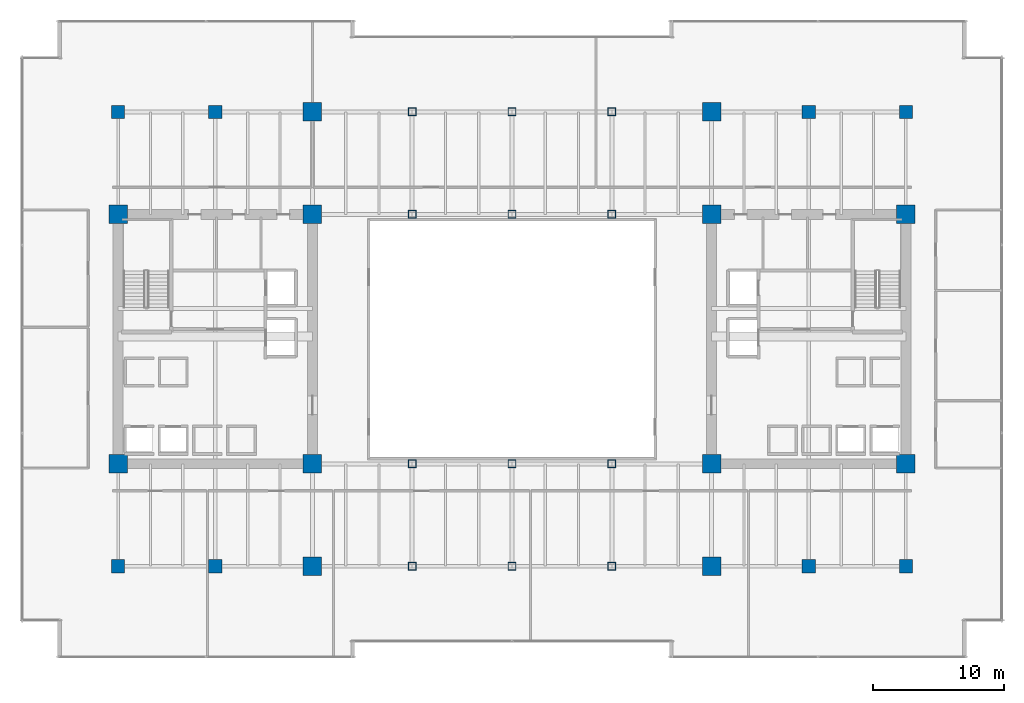
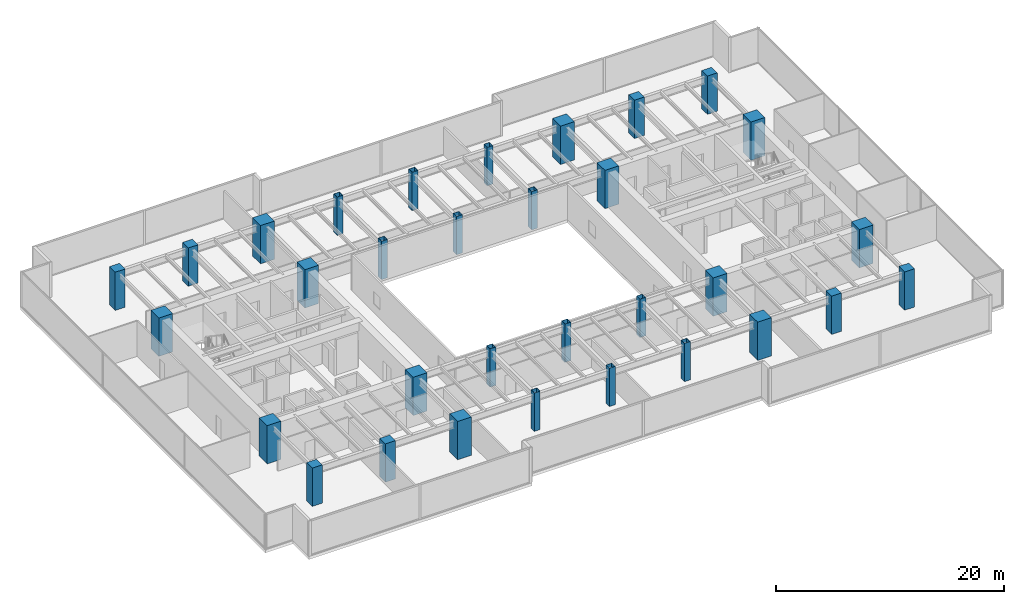
# One storey, part 1 of 35: 32 columns.
"""IFC4 building model written with IfcOpenShell, lengths in metres."""

from ifc_helpers import new_model, si_unit, direction, frame, origin, origin_2d, place, context, subcontext, project, spatial, rectangle, hollow_rectangle, extrude, source, transform, mapped, material, material_profile, profile_set, type_object, type_shapes, element, save


model = new_model("IFC4")

# Units and contexts
model_context = context("Model", 3, precision=1e-05, world=origin(), true_north=direction((0.0, 1.0)))
body_context = subcontext(model_context, "Body", "Model", "MODEL_VIEW")
ifc_project = project(units=[si_unit("LENGTHUNIT", "METRE"), si_unit("AREAUNIT", "SQUARE_METRE"), si_unit("VOLUMEUNIT", "CUBIC_METRE"), si_unit("PLANEANGLEUNIT", "RADIAN"), si_unit("MASSUNIT", "GRAM", prefix="KILO")], contexts=[model_context])

# Site, building, storey
site_placement = place(None, origin())
site = spatial("IfcSite", under=ifc_project, at=site_placement, CompositionType="ELEMENT")
building_placement = place(site_placement, origin())
building = spatial("IfcBuilding", under=site, at=building_placement, Name="Haelvirn Gate Laboratories", CompositionType="ELEMENT")
storey_placement = place(building_placement, frame((0.0, 0.0, 45.699951171875)))
storey = spatial("IfcBuildingStorey", under=building, at=storey_placement, Name="L11", CompositionType="ELEMENT", Elevation=45.699951171875)

# Columns
ifc_material_1 = material(Name="Concrete C60/75", Category="concrete")
ifc_material_profile_1 = material_profile(ifc_material_1, rectangle(XDim=1.0, YDim=1.0, at=origin_2d()), Name="RC-1000x1000")
ifc_profile_set_1 = profile_set([ifc_material_profile_1], Name="Concrete C60/75")
column_type_1 = type_object("IfcColumnType", Name="COL-RC-1000", PredefinedType="COLUMN", material=ifc_profile_set_1)
shared_shape_1 = source(origin(), body_context, "Body", "SweptSolid", [
    extrude(rectangle(XDim=1.0, YDim=1.0, at=origin_2d()), origin(), (0.0, 0.0, 1.0), 4.10009765625),
])
type_shapes(column_type_1, [shared_shape_1])
for number, where, z_axis, x_axis, name in (
    (1, (14.800048828125, 7.0, 0.0), (0.0, 0.0, 1.0), (1.0, 0.0, 0.0), "L11 Column 3B"),
    (2, (14.800048828125, 41.60009765625, 0.0), (0.0, 0.0, 1.0), (1.0, 0.0, 0.0), "L11 Column 3G"),
    (3, (60.0, 7.0, 0.0), (0.0, 0.0, 1.0), (1.0, 0.0, 0.0), "L11 Column 9B"),
    (4, (60.0, 41.60009765625, 0.0), (0.0, 0.0, 1.0), (1.0, 0.0, 0.0), "L11 Column 9G"),
    (5, (7.39990234375, 7.0, 0.0), (0.0, 0.0, 1.0), (1.0, 0.0, 0.0), "L11 Column 2B"),
    (6, (7.39990234375, 41.60009765625, 0.0), (0.0, 0.0, 1.0), (1.0, 0.0, 0.0), "L11 Column 2G"),
    (7, (67.39990234375, 7.0, 0.0), (0.0, 0.0, 1.0), (1.0, 0.0, 0.0), "L11 Column 10B"),
    (8, (67.39990234375, 41.60009765625, 0.0), (0.0, 0.0, 1.0), (1.0, 0.0, 0.0), "L11 Column 10G"),
):
    element("IfcColumn", number, at=place(storey_placement, frame(where, z_axis=z_axis, x_axis=x_axis)), inside=storey, type_object=column_type_1, Name=name, PredefinedType="COLUMN", context=body_context, shape_type="MappedRepresentation", body=[
        mapped(shared_shape_1, transform((0.0, 0.0, 0.0), scale=1.0)),
    ])
ifc_material_2 = material(Name="Concrete C70/85", Category="concrete")
ifc_material_profile_2 = material_profile(ifc_material_2, rectangle(XDim=1.39990234375, YDim=1.39990234375, at=origin_2d()), Name="SRC-1400x1400")
ifc_profile_set_2 = profile_set([ifc_material_profile_2], Name="Concrete C70/85")
column_type_2 = type_object("IfcColumnType", Name="COL-SRC-1400", PredefinedType="COLUMN", material=ifc_profile_set_2)
shared_shape_2 = source(origin(), body_context, "Body", "SweptSolid", [
    extrude(rectangle(XDim=1.39990234375, YDim=1.39990234375, at=origin_2d()), origin(), (0.0, 0.0, 1.0), 4.10009765625),
])
type_shapes(column_type_2, [shared_shape_2])
for number, where, z_axis, x_axis, name in (
    (9, (22.199951171875, 7.0, 0.0), (0.0, 0.0, 1.0), (1.0, 0.0, 0.0), "L11 Column 4B"),
    (10, (7.39990234375, 14.800048828125, 0.0), (0.0, 0.0, 1.0), (1.0, 0.0, 0.0), "L11 Column 2C"),
    (11, (22.199951171875, 14.800048828125, 0.0), (0.0, 0.0, 1.0), (1.0, 0.0, 0.0), "L11 Column 4C"),
    (12, (7.39990234375, 33.800048828125, 0.0), (0.0, 0.0, 1.0), (1.0, 0.0, 0.0), "L11 Column 2F"),
    (13, (22.199951171875, 33.800048828125, 0.0), (0.0, 0.0, 1.0), (1.0, 0.0, 0.0), "L11 Column 4F"),
    (14, (22.199951171875, 41.60009765625, 0.0), (0.0, 0.0, 1.0), (1.0, 0.0, 0.0), "L11 Column 4G"),
    (15, (52.60009765625, 7.0, 0.0), (0.0, 0.0, 1.0), (1.0, 0.0, 0.0), "L11 Column 8B"),
    (16, (52.60009765625, 14.800048828125, 0.0), (0.0, 0.0, 1.0), (1.0, 0.0, 0.0), "L11 Column 8C"),
    (17, (67.39990234375, 14.800048828125, 0.0), (0.0, 0.0, 1.0), (1.0, 0.0, 0.0), "L11 Column 10C"),
    (18, (52.60009765625, 33.800048828125, 0.0), (0.0, 0.0, 1.0), (1.0, 0.0, 0.0), "L11 Column 8F"),
    (19, (67.39990234375, 33.800048828125, 0.0), (0.0, 0.0, 1.0), (1.0, 0.0, 0.0), "L11 Column 10F"),
    (20, (52.60009765625, 41.60009765625, 0.0), (0.0, 0.0, 1.0), (1.0, 0.0, 0.0), "L11 Column 8G"),
):
    element("IfcColumn", number, at=place(storey_placement, frame(where, z_axis=z_axis, x_axis=x_axis)), inside=storey, type_object=column_type_2, Name=name, PredefinedType="COLUMN", context=body_context, shape_type="MappedRepresentation", body=[
        mapped(shared_shape_2, transform((0.0, 0.0, 0.0), scale=1.0)),
    ])
ifc_material_3 = material(Name="Steel SM420", Category="steel")
ifc_material_profile_3 = material_profile(ifc_material_3, hollow_rectangle(XDim=0.60009765625, YDim=0.60009765625, WallThickness=0.028076171875, at=origin_2d()), Name="BOX-600x600x28")
ifc_profile_set_3 = profile_set([ifc_material_profile_3], Name="Steel SM420")
column_type_3 = type_object("IfcColumnType", Name="COL-BOX-600", PredefinedType="COLUMN", material=ifc_profile_set_3)
shared_shape_3 = source(origin(), body_context, "Body", "SweptSolid", [
    extrude(hollow_rectangle(XDim=0.60009765625, YDim=0.60009765625, WallThickness=0.028076171875, at=origin_2d()), origin(), (0.0, 0.0, 1.0), 4.10009765625),
])
type_shapes(column_type_3, [shared_shape_3])
for number, where, z_axis, x_axis, name in (
    (21, (29.800048828125, 7.0, 0.0), (0.0, 0.0, 1.0), (1.0, 0.0, 0.0), "L11 Column 5B"),
    (22, (29.800048828125, 14.800048828125, 0.0), (0.0, 0.0, 1.0), (1.0, 0.0, 0.0), "L11 Column 5C"),
    (23, (29.800048828125, 33.800048828125, 0.0), (0.0, 0.0, 1.0), (1.0, 0.0, 0.0), "L11 Column 5F"),
    (24, (29.800048828125, 41.60009765625, 0.0), (0.0, 0.0, 1.0), (1.0, 0.0, 0.0), "L11 Column 5G"),
    (25, (37.39990234375, 7.0, 0.0), (0.0, 0.0, 1.0), (1.0, 0.0, 0.0), "L11 Column 6B"),
    (26, (37.39990234375, 14.800048828125, 0.0), (0.0, 0.0, 1.0), (1.0, 0.0, 0.0), "L11 Column 6C"),
    (27, (37.39990234375, 33.800048828125, 0.0), (0.0, 0.0, 1.0), (1.0, 0.0, 0.0), "L11 Column 6F"),
    (28, (37.39990234375, 41.60009765625, 0.0), (0.0, 0.0, 1.0), (1.0, 0.0, 0.0), "L11 Column 6G"),
    (29, (45.0, 7.0, 0.0), (0.0, 0.0, 1.0), (1.0, 0.0, 0.0), "L11 Column 7B"),
    (30, (45.0, 14.800048828125, 0.0), (0.0, 0.0, 1.0), (1.0, 0.0, 0.0), "L11 Column 7C"),
    (31, (45.0, 33.800048828125, 0.0), (0.0, 0.0, 1.0), (1.0, 0.0, 0.0), "L11 Column 7F"),
    (32, (45.0, 41.60009765625, 0.0), (0.0, 0.0, 1.0), (1.0, 0.0, 0.0), "L11 Column 7G"),
):
    element("IfcColumn", number, at=place(storey_placement, frame(where, z_axis=z_axis, x_axis=x_axis)), inside=storey, type_object=column_type_3, Name=name, PredefinedType="COLUMN", context=body_context, shape_type="MappedRepresentation", body=[
        mapped(shared_shape_3, transform((0.0, 0.0, 0.0), scale=1.0)),
    ])

save(model, "model.ifc")
